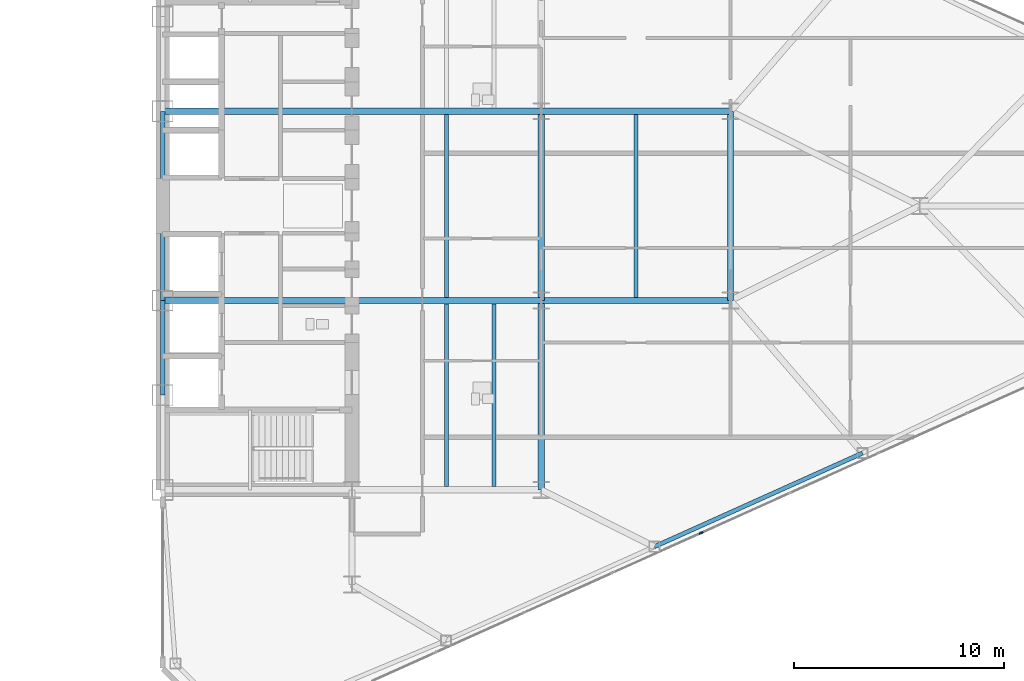
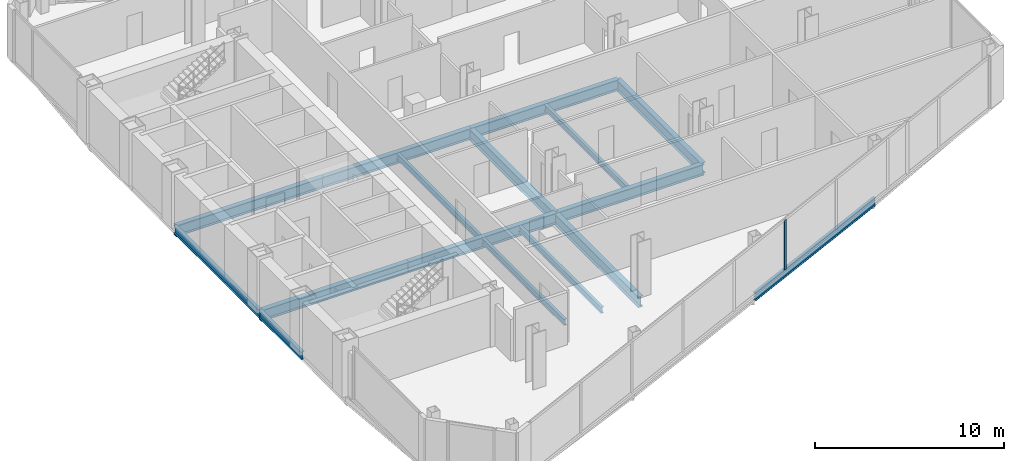
# One storey, part 12 of 27: 16 beams, 1 member, 1 element without a shape of its own.
"""IFC4 building model written with IfcOpenShell, lengths in metres."""

import ifcopenshell
import ifcopenshell.guid

model = None  # the IFC model being written
_history = None  # IfcOwnerHistory: only IFC2X3 demands one
_inside = {}  # id of a spatial element -> (the spatial element, [elements in it])
_under = {}  # id of a project, library or spatial element -> (it, [spatial elements below it])
_declared = {}  # id of a project -> (the project, [libraries it declares])
_typed = {}  # id of a type object -> (the type object, [elements of that type])
_made_of = {}  # id of a material, layer set ... -> (it, [elements and type objects made of it])


def new_model(schema):
    """Start an empty IFC model of exactly this schema.

    Asked for "IFC4X3", IfcOpenShell would pick the latest addendum, in which some entities
    have other attributes; the version numbers below select the first issue.
    IFC2X3 requires an IfcOwnerHistory on every rooted entity: one is made here for all.
    """
    global model, _history
    if schema == "IFC4X3":
        model = ifcopenshell.file(schema_version=(4, 3, 0, 0))
    else:
        model = ifcopenshell.file(schema=schema)
    _inside.clear()
    _under.clear()
    _declared.clear()
    _typed.clear()
    _made_of.clear()
    _history = None
    if model.schema == "IFC2X3":
        org = make("IfcOrganization", Name="unknown")
        user = make(
            "IfcPersonAndOrganization",
            ThePerson=make("IfcPerson", FamilyName="unknown"),
            TheOrganization=org,
        )
        app = make(
            "IfcApplication",
            ApplicationDeveloper=org,
            Version="unknown",
            ApplicationFullName="unknown",
            ApplicationIdentifier="unknown",
        )
        _history = make(
            "IfcOwnerHistory",
            OwningUser=user,
            OwningApplication=app,
            ChangeAction="ADDED",
            CreationDate=0,
        )
    return model


def make(cls, **values):
    """One entity of the class cls with the attributes given. An attribute that is None is left unset."""
    return model.create_entity(
        cls, **{name: value for name, value in values.items() if value is not None}
    )


def rooted(cls, **values):
    """An entity with a GlobalId (a new one), such as an element, a storey or a relation."""
    return make(cls, GlobalId=ifcopenshell.guid.new(), OwnerHistory=_history, **values)


def si_unit(unit_type, name, prefix=None):
    """IfcSIUnit, for example si_unit("LENGTHUNIT", "METRE", prefix="MILLI")."""
    return make("IfcSIUnit", UnitType=unit_type, Prefix=prefix, Name=name)


def assignment(units):
    """IfcUnitAssignment: the units of a project."""
    return None if units is None else make("IfcUnitAssignment", Units=units)


def point(xyz):
    """IfcCartesianPoint."""
    return None if xyz is None else make("IfcCartesianPoint", Coordinates=xyz)


def direction(xyz):
    """IfcDirection."""
    return None if xyz is None else make("IfcDirection", DirectionRatios=xyz)


def frame(location, z_axis=None, x_axis=None):
    """IfcAxis2Placement3D, a coordinate frame: its origin and axes. An axis left out is left unset."""
    return make(
        "IfcAxis2Placement3D",
        Location=point(location),
        Axis=direction(z_axis),
        RefDirection=direction(x_axis),
    )


def frame_2d(location, x_axis=None):
    """IfcAxis2Placement2D, a coordinate frame in the plane: its origin and x axis."""
    return make(
        "IfcAxis2Placement2D", Location=point(location), RefDirection=direction(x_axis)
    )


def origin():
    """The frame at (0, 0, 0) with its axes left unset."""
    return frame((0.0, 0.0, 0.0))


def origin_2d():
    """The frame at (0, 0) in the plane with its x axis left unset."""
    return frame_2d((0.0, 0.0))


def place(relative_to, where):
    """IfcLocalPlacement: puts the frame where relative to a parent placement (None: the world)."""
    return make(
        "IfcLocalPlacement", PlacementRelTo=relative_to, RelativePlacement=where
    )


def context(
    kind, dimensions, precision=None, world=None, true_north=None, identifier=None
):
    """IfcGeometricRepresentationContext, for example the 3D "Model" context."""
    return make(
        "IfcGeometricRepresentationContext",
        ContextIdentifier=identifier,
        ContextType=kind,
        CoordinateSpaceDimension=dimensions,
        Precision=precision,
        WorldCoordinateSystem=world,
        TrueNorth=true_north,
    )


def subcontext(parent, identifier, kind, view, scale=None):
    """IfcGeometricRepresentationSubContext, for example "Body" below "Model"."""
    return make(
        "IfcGeometricRepresentationSubContext",
        ContextIdentifier=identifier,
        ContextType=kind,
        ParentContext=parent,
        TargetScale=scale,
        TargetView=view,
    )


def project(units=None, contexts=None):
    """IfcProject with its units and contexts."""
    return rooted(
        "IfcProject",
        Name="project",
        RepresentationContexts=contexts,
        UnitsInContext=assignment(units),
    )


def spatial(cls, under=None, at=None, **own):
    """A site, building, storey or space (cls), placed at a placement, below another one or the project."""
    s = rooted(cls, ObjectPlacement=at, **own)
    if under is not None:
        _under.setdefault(under.id(), (under, []))[1].append(s)
    return s


def profile(cls, at=None, kind="AREA", **sizes):
    """A parametric profile (cls). Its sizes go by their IFC names, for example OverallWidth=200.0."""
    return make(cls, ProfileType=kind, Position=at, **sizes)


def rectangle(**sizes):
    """IfcRectangleProfileDef."""
    return profile("IfcRectangleProfileDef", **sizes)


def i_section(**sizes):
    """IfcIShapeProfileDef."""
    return profile("IfcIShapeProfileDef", **sizes)


def extrude(swept, where, along, depth):
    """IfcExtrudedAreaSolid: the profile swept, set in the frame where, extruded along a direction by depth."""
    return make(
        "IfcExtrudedAreaSolid",
        SweptArea=swept,
        Position=where,
        ExtrudedDirection=direction(along),
        Depth=depth,
    )


def shape(context_of_items, identifier, shape_type, items):
    """IfcShapeRepresentation: the items that make up one representation, for example the "Body"."""
    return make(
        "IfcShapeRepresentation",
        ContextOfItems=context_of_items,
        RepresentationIdentifier=identifier,
        RepresentationType=shape_type,
        Items=items,
    )


def source(mapping_origin, context_of_items, identifier, shape_type, items):
    """IfcRepresentationMap: a shape defined once, which mapped items show again and again."""
    return make(
        "IfcRepresentationMap",
        MappingOrigin=mapping_origin,
        MappedRepresentation=shape(context_of_items, identifier, shape_type, items),
    )


def transform(
    local_origin,
    x_axis=None,
    y_axis=None,
    z_axis=None,
    scale=None,
    scale2=None,
    scale3=None,
    uniform=True,
):
    """IfcCartesianTransformationOperator3D, or its non-uniform kind. x_axis, y_axis, z_axis: its Axis1, 2, 3."""
    if uniform:
        return make(
            "IfcCartesianTransformationOperator3D",
            Axis1=direction(x_axis),
            Axis2=direction(y_axis),
            LocalOrigin=point(local_origin),
            Scale=scale,
            Axis3=direction(z_axis),
        )
    return make(
        "IfcCartesianTransformationOperator3DnonUniform",
        Axis1=direction(x_axis),
        Axis2=direction(y_axis),
        LocalOrigin=point(local_origin),
        Scale=scale,
        Axis3=direction(z_axis),
        Scale2=scale2,
        Scale3=scale3,
    )


def mapped(mapping_source, mapping_target):
    """IfcMappedItem: shows the shape of a source again, moved by a transform."""
    return make(
        "IfcMappedItem", MappingSource=mapping_source, MappingTarget=mapping_target
    )


def material(Name=None, Category=None):
    """IfcMaterial."""
    return make("IfcMaterial", Name=Name, Category=Category)


def layer(
    of_material, thickness, ventilated=None, Name=None, Category=None, Priority=None
):
    """IfcMaterialLayer: one layer of a wall or slab, of a material (None: an air gap)."""
    return make(
        "IfcMaterialLayer",
        Material=of_material,
        LayerThickness=thickness,
        IsVentilated=ventilated,
        Name=Name,
        Category=Category,
        Priority=Priority,
    )


def layer_set(layers, Name=None):
    """IfcMaterialLayerSet."""
    return make("IfcMaterialLayerSet", MaterialLayers=layers, LayerSetName=Name)


def material_profile(
    of_material, cross_section, Name=None, Category=None, Priority=None
):
    """IfcMaterialProfile: a cross section and its material."""
    return make(
        "IfcMaterialProfile",
        Name=Name,
        Material=of_material,
        Profile=cross_section,
        Priority=Priority,
        Category=Category,
    )


def profile_set(profiles, Name=None, composite=None):
    """IfcMaterialProfileSet."""
    return make(
        "IfcMaterialProfileSet",
        Name=Name,
        MaterialProfiles=profiles,
        CompositeProfile=composite,
    )


def made_of(thing, what):
    """Note that an element or type object is made of a material, layer set ...; save() writes the relation."""
    if what is not None:
        _made_of.setdefault(what.id(), (what, []))[1].append(thing)
    return thing


def type_object(cls, material=None, **own):
    """A type object (cls), such as IfcWallType, which elements share."""
    return made_of(rooted(cls, **own), material)


def type_shapes(of_type, sources):
    """Give a type object the sources (RepresentationMaps) that its elements show as mapped items."""
    of_type.RepresentationMaps = sources


def element(
    cls,
    number,
    at=None,
    inside=None,
    cuts=None,
    type_object=None,
    material=None,
    context=None,
    identifier="Body",
    shape_type=None,
    held_by="IfcProductDefinitionShape",
    body=None,
    shapes=None,
    **own,
):
    """One element of the class cls, such as IfcWall. Its Tag is "e" and its number.

    at: its placement. inside: the storey or other place that contains it. cuts: it is an
    opening in that element (IfcRelVoidsElement). A single representation is given by context,
    identifier, shape_type and body (its items); several are given by shapes. held_by: the class
    of the entity that holds the representations. save() writes the other relations.
    """
    e = rooted(cls, Tag="e%d" % number, ObjectPlacement=at, **own)
    if body is not None:
        shapes = [shape(context, identifier, shape_type, body)]
    if shapes is not None:
        e.Representation = make(held_by, Representations=shapes)
    if inside is not None:
        _inside.setdefault(inside.id(), (inside, []))[1].append(e)
    if cuts is not None:
        rooted(
            "IfcRelVoidsElement", RelatingBuildingElement=cuts, RelatedOpeningElement=e
        )
    if type_object is not None:
        _typed.setdefault(type_object.id(), (type_object, []))[1].append(e)
    return made_of(e, material)


def aggregate(whole, parts):
    """IfcRelAggregates: a whole, such as a stair, and the parts it consists of."""
    return rooted("IfcRelAggregates", RelatingObject=whole, RelatedObjects=parts)


def save(model, path):
    """Write the relations noted so far, then the file.

    IfcRelAggregates (storeys below a building ...), IfcRelContainedInSpatialStructure (elements
    in a storey), IfcRelDefinesByType, IfcRelAssociatesMaterial and IfcRelDeclares: one each for
    every whole, place, type object, material and project.
    """
    for whole, parts in _under.values():
        aggregate(whole, parts)
    for where, things in _inside.values():
        rooted(
            "IfcRelContainedInSpatialStructure",
            RelatedElements=things,
            RelatingStructure=where,
        )
    for kind, things in _typed.values():
        rooted("IfcRelDefinesByType", RelatedObjects=things, RelatingType=kind)
    for what, things in _made_of.values():
        rooted("IfcRelAssociatesMaterial", RelatedObjects=things, RelatingMaterial=what)
    for by, libraries in _declared.values():
        rooted("IfcRelDeclares", RelatingContext=by, RelatedDefinitions=libraries)
    model.write(path)


model = new_model("IFC4")

# Units and contexts
model_context = context("Model", 3, precision=1e-05, world=origin(), true_north=direction((0.0, 1.0)))
body_context = subcontext(model_context, "Body", "Model", "MODEL_VIEW")
ifc_project = project(units=[si_unit("LENGTHUNIT", "METRE"), si_unit("AREAUNIT", "SQUARE_METRE"), si_unit("VOLUMEUNIT", "CUBIC_METRE"), si_unit("PLANEANGLEUNIT", "RADIAN"), si_unit("MASSUNIT", "GRAM", prefix="KILO")], contexts=[model_context])

# Site, building, storey
site_placement = place(None, origin())
site = spatial("IfcSite", under=ifc_project, at=site_placement, CompositionType="ELEMENT")
building_placement = place(site_placement, origin())
building = spatial("IfcBuilding", under=site, at=building_placement, Name="Seokmaru Belvedere", CompositionType="ELEMENT")
storey_placement = place(building_placement, frame((0.0, 0.0, 103.199951171875)))
storey = spatial("IfcBuildingStorey", under=building, at=storey_placement, Name="L27", CompositionType="ELEMENT", Elevation=103.199951171875)

# Beams
ifc_material_1 = material(Name="Steel SM355 (355 MPa)", Category="steel")
ifc_material_profile_1 = material_profile(ifc_material_1, i_section(OverallWidth=0.199951171875, OverallDepth=0.5, WebThickness=0.010009765625, FlangeThickness=0.01611328125, at=origin_2d()), Name="H-500x200x10x16")
ifc_profile_set_1 = profile_set([ifc_material_profile_1], Name="Steel SM355 (355 MPa)")
beam_type_1 = type_object("IfcBeamType", Name="Perimeter Spandrel Beam H-500", PredefinedType="SPANDREL", material=ifc_profile_set_1)
shared_shape_1 = source(origin(), body_context, "Body", "SweptSolid", [
    extrude(i_section(OverallWidth=0.199951171875, OverallDepth=0.5, WebThickness=0.010009765625, FlangeThickness=0.01611328125, at=origin_2d()), origin(), (0.0, 0.0, 1.0), 4.5),
])
beam_1_placement = place(storey_placement, frame((27.5, -9.0, -0.469970703125), z_axis=(0.0, 1.0, 0.0), x_axis=(-1.0, 0.0, 0.0)))
element("IfcBeam", 1, at=beam_1_placement, inside=storey, type_object=beam_type_1, Name="L27 E Portal Spine Spandrel 2", PredefinedType="SPANDREL", context=body_context, shape_type="MappedRepresentation", body=[
    mapped(shared_shape_1, transform((0.0, 0.0, 0.0), scale=1.0)),
])
shared_shape_2 = source(origin(), body_context, "Body", "SweptSolid", [
    extrude(i_section(OverallWidth=0.199951171875, OverallDepth=0.5, WebThickness=0.010009765625, FlangeThickness=0.01611328125, at=origin_2d()), origin(), (0.0, 0.0, 1.0), 9.0),
])
beam_2_placement = place(storey_placement, frame((27.5, -4.5, -0.469970703125), z_axis=(0.0, 1.0, 0.0), x_axis=(-1.0, 0.0, 0.0)))
element("IfcBeam", 2, at=beam_2_placement, inside=storey, type_object=beam_type_1, Name="L27 E Portal Spine Spandrel 3", PredefinedType="SPANDREL", context=body_context, shape_type="MappedRepresentation", body=[
    mapped(shared_shape_2, transform((0.0, 0.0, 0.0), scale=1.0)),
])
ifc_material_profile_2 = material_profile(ifc_material_1, i_section(OverallWidth=0.300048828125, OverallDepth=0.699951171875, WebThickness=0.012939453125, FlangeThickness=0.02392578125, at=origin_2d()), Name="H-700x300x13x24")
ifc_profile_set_2 = profile_set([ifc_material_profile_2], Name="Steel SM355 (355 MPa)")
beam_type_2 = type_object("IfcBeamType", Name="Primary Floor Girder H-700", PredefinedType="BEAM", material=ifc_profile_set_2)
shared_shape_3 = source(origin(), body_context, "Body", "SweptSolid", [
    extrude(i_section(OverallWidth=0.300048828125, OverallDepth=0.699951171875, WebThickness=0.012939453125, FlangeThickness=0.02392578125, at=origin_2d()), origin(), (0.0, 0.0, 1.0), 9.0),
])
type_shapes(beam_type_2, [shared_shape_3])
for number, where, z_axis, x_axis, name in (
    (3, (45.5, -13.5, -0.570068359375), (0.0, 1.0, 0.0), (-1.0, 0.0, 0.0), "L27 E Interior Grid Girder 1"),
    (4, (45.5, -4.5, -0.570068359375), (0.0, 1.0, 0.0), (-1.0, 0.0, 0.0), "L27 E Interior Grid Girder 2"),
    (5, (27.5, -4.5, -0.570068359375), (1.0, 0.0, 0.0), (0.0, 1.0, 0.0), "L27 E Core Tie Girder 2"),
    (6, (36.5, -4.5, -0.570068359375), (1.0, 0.0, 0.0), (0.0, 1.0, 0.0), "L27 E Wing Primary Girder 2"),
    (7, (27.5, 4.5, -0.570068359375), (1.0, 0.0, 0.0), (0.0, 1.0, 0.0), "L27 E Core Tie Girder 3"),
    (8, (36.5, 4.5, -0.570068359375), (1.0, 0.0, 0.0), (0.0, 1.0, 0.0), "L27 E Wing Primary Girder 3"),
    (9, (45.5, -4.5, -0.570068359375), (1.0, 0.0, 0.0), (0.0, 1.0, 0.0), "L27 E Outer Wing Girder 1"),
    (10, (45.5, 4.5, -0.570068359375), (1.0, 0.0, 0.0), (0.0, 1.0, 0.0), "L27 E Outer Wing Girder 2"),
    (11, (54.5, -4.5, -0.570068359375), (0.0, 1.0, 0.0), (-1.0, 0.0, 0.0), "L27 E Apex Frame Girder"),
):
    element("IfcBeam", number, at=place(storey_placement, frame(where, z_axis=z_axis, x_axis=x_axis)), inside=storey, type_object=beam_type_2, Name=name, PredefinedType="BEAM", context=body_context, shape_type="MappedRepresentation", body=[
        mapped(shared_shape_3, transform((0.0, 0.0, 0.0), scale=1.0)),
    ])
ifc_material_profile_3 = material_profile(ifc_material_1, i_section(OverallWidth=0.18505859375, OverallDepth=0.389892578125, WebThickness=0.008056640625, FlangeThickness=0.011962890625, at=origin_2d()), Name="H-390x185x8x12")
ifc_profile_set_3 = profile_set([ifc_material_profile_3], Name="Steel SM355 (355 MPa)")
beam_type_3 = type_object("IfcBeamType", Name="Secondary Floor Joist H-350", PredefinedType="JOIST", material=ifc_profile_set_3)
shared_shape_4 = source(origin(), body_context, "Body", "SweptSolid", [
    extrude(i_section(OverallWidth=0.18505859375, OverallDepth=0.389892578125, WebThickness=0.008056640625, FlangeThickness=0.011962890625, at=origin_2d()), origin(), (0.0, 0.0, 1.0), 8.68994140625),
])
type_shapes(beam_type_3, [shared_shape_4])
for number, where, z_axis, x_axis, name in (
    (12, (43.25, -13.344970703125, -0.4150390625), (0.0, 1.0, 0.0), (-1.0, 0.0, 0.0), "L27 E Wing Inner Secondary Joist 1"),
    (13, (41.0, -13.344970703125, -0.4150390625), (0.0, 1.0, 0.0), (-1.0, 0.0, 0.0), "L27 E Secondary Floor Joist 1"),
    (14, (41.0, -4.344970703125, -0.4150390625), (0.0, 1.0, 0.0), (-1.0, 0.0, 0.0), "L27 E Secondary Floor Joist 2"),
    (15, (50.0, -4.344970703125, -0.4150390625), (0.0, 1.0, 0.0), (-1.0, 0.0, 0.0), "L27 E Outer Bay Secondary Joist"),
):
    element("IfcBeam", number, at=place(storey_placement, frame(where, z_axis=z_axis, x_axis=x_axis)), inside=storey, type_object=beam_type_3, Name=name, PredefinedType="JOIST", context=body_context, shape_type="MappedRepresentation", body=[
        mapped(shared_shape_4, transform((0.0, 0.0, 0.0), scale=1.0)),
    ])
shared_shape_5 = source(origin(), body_context, "Body", "SweptSolid", [
    extrude(i_section(OverallWidth=0.199951171875, OverallDepth=0.5, WebThickness=0.010009765625, FlangeThickness=0.01611328125, at=origin_2d()), origin(), (0.0, 0.0, 1.0), 10.85888671875),
])
type_shapes(beam_type_1, [shared_shape_1, shared_shape_2, shared_shape_5])
beam_3_placement = place(storey_placement, frame((50.875, -16.205322265625, -0.469970703125), z_axis=(0.911925291223, 0.410356263785, 0.0), x_axis=(-0.410356263785, 0.911925291223, 0.0)))
element("IfcBeam", 16, at=beam_3_placement, inside=storey, type_object=beam_type_1, Name="L27 E Faceted Flank Spandrel S-3", PredefinedType="SPANDREL", context=body_context, shape_type="MappedRepresentation", body=[
    mapped(shared_shape_5, transform((0.0, 0.0, 0.0), scale=1.0)),
])

# Curtain wall, member
ifc_material_2 = material(Name="Bronze Triple Insulating Glass", Category="glass")
ifc_layer = layer(ifc_material_2, 0.195068359375)
ifc_layer_set = layer_set([ifc_layer], Name="Bronze Triple Insulating Glass")
curtain_wall_type = type_object("IfcCurtainWallType", Name="Lower-Mid Tapered Curtain Wall System CW-3", PredefinedType="NOTDEFINED", material=ifc_layer_set)
curtain_wall_placement = place(storey_placement, origin())
curtain_wall = element("IfcCurtainWall", 17, at=curtain_wall_placement, inside=storey, type_object=curtain_wall_type, Name="L27 Curtain Wall EF1", PredefinedType="NOTDEFINED")
ifc_material_3 = material(Name="Anodised Bronze Aluminium", Category="aluminium")
ifc_material_profile_4 = material_profile(ifc_material_3, rectangle(XDim=0.070068359375, YDim=0.195068359375, at=origin_2d()), Name="CW-M-70x195")
ifc_profile_set_4 = profile_set([ifc_material_profile_4], Name="Anodised Bronze Aluminium")
member_type = type_object("IfcMemberType", Name="Bronze Unitised Mullion 70x195", PredefinedType="MULLION", material=ifc_profile_set_4)
shared_shape_6 = source(origin(), body_context, "Body", "SweptSolid", [
    extrude(rectangle(XDim=0.070068359375, YDim=0.195068359375, at=origin_2d()), origin(), (0.0, 0.0, 1.0), 3.239990234375),
])
type_shapes(member_type, [shared_shape_6])
member_placement = place(storey_placement, frame((53.105712890625, -15.552490234375, 0.070068359375), z_axis=(0.0, 0.0, 1.0), x_axis=(-0.41036554765, 0.91192111353, 0.0)))
member = element("IfcMember", 18, at=member_placement, type_object=member_type, Name="CW:L27:EF1 Mullion 6", PredefinedType="MULLION", context=body_context, shape_type="MappedRepresentation", body=[
    mapped(shared_shape_6, transform((0.0, 0.0, 0.0), scale=1.0)),
])
aggregate(curtain_wall, [member])

save(model, "model.ifc")
